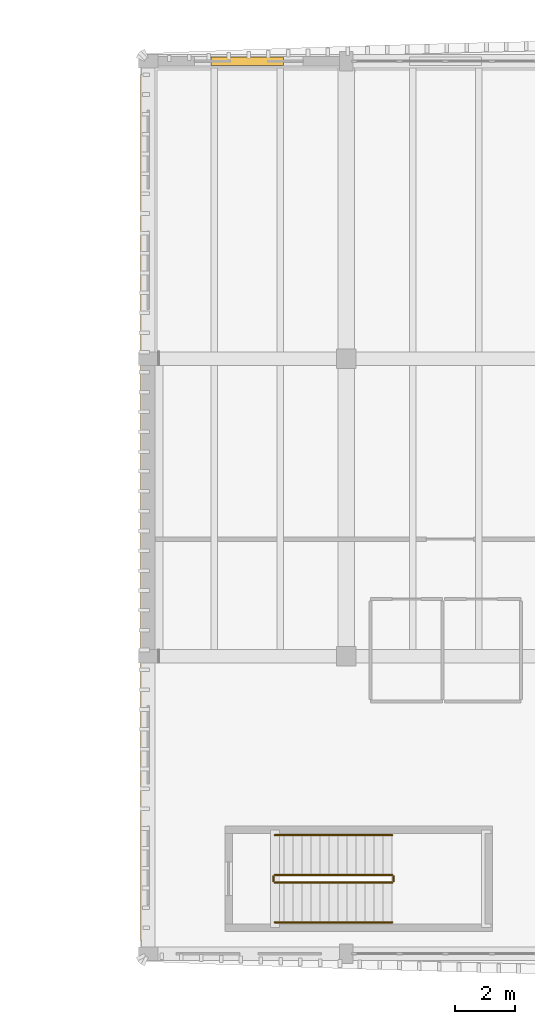
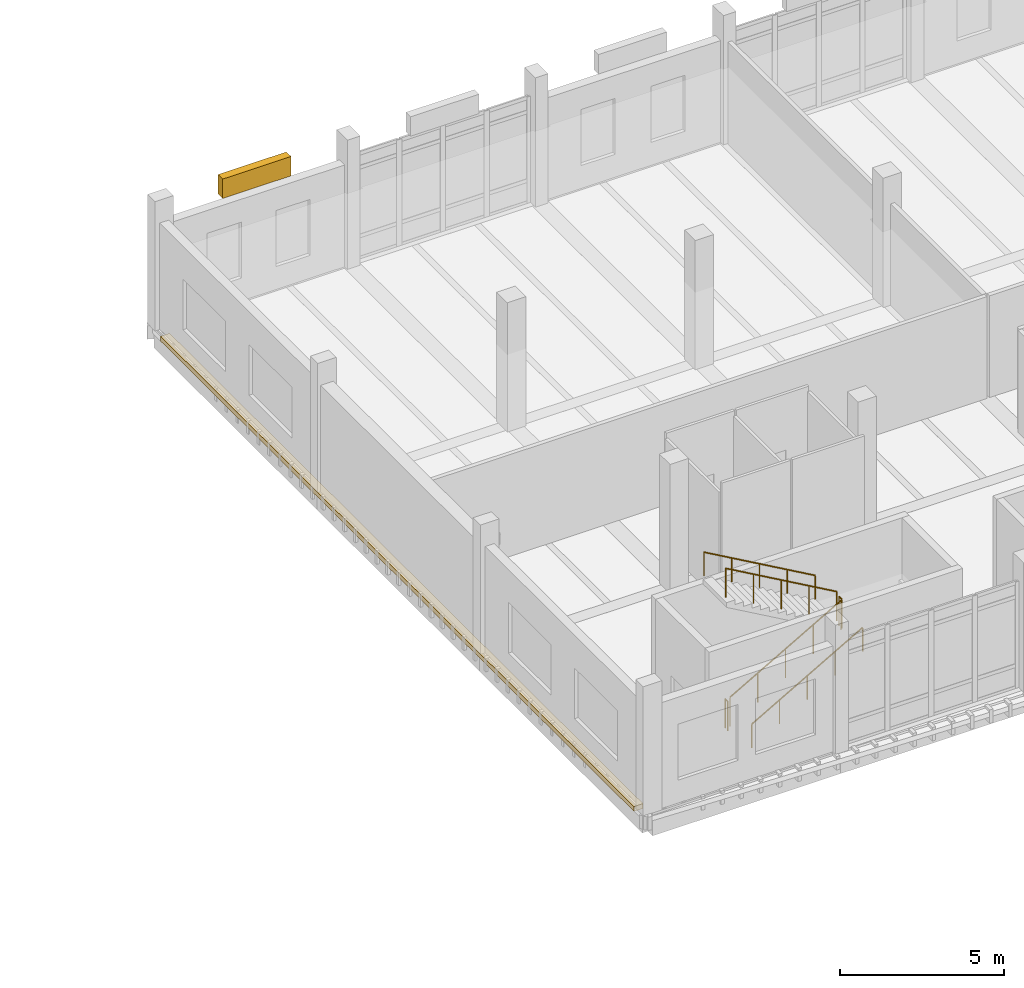
# One storey, part 31 of 39: 6 railings, 1 covering, 1 shading device.
"""IFC4 building model written with IfcOpenShell, lengths in metres."""

from ifc_helpers import new_model, si_unit, direction, frame, origin, origin_2d, place, context, subcontext, project, spatial, polyline, rectangle, circle, outline, extrude, material, layer, layer_set, type_object, element, save


model = new_model("IFC4")

# Units and contexts
model_context = context("Model", 3, precision=1e-05, world=origin(), true_north=direction((0.0, 1.0)))
body_context = subcontext(model_context, "Body", "Model", "MODEL_VIEW")
ifc_project = project(units=[si_unit("LENGTHUNIT", "METRE"), si_unit("AREAUNIT", "SQUARE_METRE"), si_unit("VOLUMEUNIT", "CUBIC_METRE"), si_unit("PLANEANGLEUNIT", "RADIAN"), si_unit("MASSUNIT", "GRAM", prefix="KILO")], contexts=[model_context])

# Site, building, storey
site_placement = place(None, origin())
site = spatial("IfcSite", under=ifc_project, at=site_placement, CompositionType="ELEMENT")
building_placement = place(site_placement, origin())
building = spatial("IfcBuilding", under=site, at=building_placement, Name="Dornvale Research Institute", CompositionType="ELEMENT")
storey_placement = place(building_placement, frame((0.0, 0.0, 24.60009765625)))
storey = spatial("IfcBuildingStorey", under=building, at=storey_placement, Name="L05", CompositionType="ELEMENT", Elevation=24.60009765625)

# Covering
ifc_material_1 = material(Name="Polychrome Glazed Terracotta Visor Rib Ceramic", Category="masonry")
ifc_layer_1 = layer(ifc_material_1, 0.179931640625)
ifc_layer_set_1 = layer_set([ifc_layer_1], Name="Polychrome Glazed Terracotta Visor Rib Ceramic")
covering_type = type_object("IfcCoveringType", Name="Covering_VisorBrim_LowShelf", PredefinedType="CLADDING", material=ifc_layer_set_1)
covering_placement = place(storey_placement, frame((0.0, 0.0, -0.260009765625)))
element("IfcCovering", 1, at=covering_placement, inside=storey, type_object=covering_type, Name="L05 V4 canted bowed-brim visor hood #62", PredefinedType="CLADDING", context=body_context, shape_type="SweptSolid", body=[
    extrude(outline(polyline([(118.860107421875, 92.85009765625), (118.540771484375, 92.85009765625), (118.540771484375, 121.64990234375), (118.860107421875, 121.64990234375), (118.860107421875, 92.85009765625)])), origin(), (0.0, 0.0, 1.0), 0.179931640625),
])

# Railings
ifc_material_2 = material(Name="Galvanized Painted Tubular Steel Stair Rail", Category="steel")
ifc_layer_2 = layer(ifc_material_2, 0.050048828125)
ifc_layer_set_2 = layer_set([ifc_layer_2], Name="Galvanized Painted Tubular Steel Stair Rail")
railing_type_1 = type_object("IfcRailingType", Name="Railing_Stair_Guard_1100", PredefinedType="GUARDRAIL", material=ifc_layer_set_2)
railing_1_placement = place(storey_placement, frame((123.02001953125, 94.77001953125, 0.17138671875)))
element("IfcRailing", 2, at=railing_1_placement, inside=storey, type_object=railing_type_1, Name="L05 ST-3 stair guard 1", PredefinedType="GUARDRAIL", context=body_context, shape_type="SweptSolid", body=[
    extrude(circle(Radius=0.02392578125, at=origin_2d()), frame((0.0, 0.0, 1.076171875), z_axis=(0.868243142124, 0.0, 0.496138938357), x_axis=(0.0, 1.0, 0.0)), (0.0, 0.0, 1.0), 4.49169921875),
    extrude(circle(Radius=0.02099609375, at=origin_2d()), origin(), (0.0, 0.0, 1.0), 1.052001953125),
    extrude(circle(Radius=0.02099609375, at=origin_2d()), frame((0.97509765625, 0.0, 0.55712890625)), (0.0, 0.0, 1.0), 1.052001953125),
    extrude(circle(Radius=0.02099609375, at=origin_2d()), frame((1.949951171875, 0.0, 1.1142578125)), (0.0, 0.0, 1.0), 1.052001953125),
    extrude(circle(Radius=0.02099609375, at=origin_2d()), frame((2.9248046875, 0.0, 1.67138671875)), (0.0, 0.0, 1.0), 1.052001953125),
    extrude(circle(Radius=0.02099609375, at=origin_2d()), frame((3.89990234375, 0.0, 2.228515625)), (0.0, 0.0, 1.0), 1.052001953125),
])
railing_2_placement = place(storey_placement, frame((126.969970703125, 94.820068359375, 2.39990234375)))
element("IfcRailing", 3, at=railing_2_placement, inside=storey, type_object=railing_type_1, Name="L05 ST-3 stair guard 2", PredefinedType="GUARDRAIL", context=body_context, shape_type="SweptSolid", body=[
    extrude(circle(Radius=0.02392578125, at=origin_2d()), frame((0.0, 0.0, 1.076171875), z_axis=(0.0, 1.0, 0.0), x_axis=(-1.0, 0.0, 0.0)), (0.0, 0.0, 1.0), 0.159912109375),
    extrude(circle(Radius=0.02099609375, at=origin_2d()), origin(), (0.0, 0.0, 1.0), 1.052001953125),
    extrude(circle(Radius=0.02099609375, at=origin_2d()), frame((0.0, 0.159912109375, 0.0)), (0.0, 0.0, 1.0), 1.052001953125),
])
railing_3_placement = place(storey_placement, frame((126.919921875, 95.030029296875, 2.5712890625)))
element("IfcRailing", 4, at=railing_3_placement, inside=storey, type_object=railing_type_1, Name="L05 ST-3 stair guard 3", PredefinedType="GUARDRAIL", context=body_context, shape_type="SweptSolid", body=[
    extrude(circle(Radius=0.02392578125, at=origin_2d()), frame((0.0, 0.0, 1.076171875), z_axis=(-0.868243142124, 0.0, 0.496138938357), x_axis=(0.0, -1.0, 0.0)), (0.0, 0.0, 1.0), 4.49169921875),
    extrude(circle(Radius=0.02099609375, at=origin_2d()), origin(), (0.0, 0.0, 1.0), 1.052001953125),
    extrude(circle(Radius=0.02099609375, at=origin_2d()), frame((-0.97509765625, 0.0, 0.55712890625)), (0.0, 0.0, 1.0), 1.052001953125),
    extrude(circle(Radius=0.02099609375, at=origin_2d()), frame((-1.949951171875, 0.0, 1.1142578125)), (0.0, 0.0, 1.0), 1.052001953125),
    extrude(circle(Radius=0.02099609375, at=origin_2d()), frame((-2.9248046875, 0.0, 1.67138671875)), (0.0, 0.0, 1.0), 1.052001953125),
    extrude(circle(Radius=0.02099609375, at=origin_2d()), frame((-3.89990234375, 0.0, 2.228515625)), (0.0, 0.0, 1.0), 1.052001953125),
])
railing_4_placement = place(storey_placement, frame((122.969970703125, 94.820068359375, 0.0)))
element("IfcRailing", 5, at=railing_4_placement, inside=storey, type_object=railing_type_1, Name="L05 ST-3 stair guard 4", PredefinedType="GUARDRAIL", context=body_context, shape_type="SweptSolid", body=[
    extrude(circle(Radius=0.02392578125, at=origin_2d()), frame((0.0, 0.0, 1.076171875), z_axis=(0.0, 1.0, 0.0), x_axis=(-1.0, 0.0, 0.0)), (0.0, 0.0, 1.0), 0.159912109375),
    extrude(circle(Radius=0.02099609375, at=origin_2d()), origin(), (0.0, 0.0, 1.0), 1.052001953125),
    extrude(circle(Radius=0.02099609375, at=origin_2d()), frame((0.0, 0.159912109375, 0.0)), (0.0, 0.0, 1.0), 1.052001953125),
])
ifc_material_3 = material(Name="Galvanized Painted Tubular Steel Stair Rail", Category="steel")
ifc_layer_3 = layer(ifc_material_3, 0.044921875)
ifc_layer_set_3 = layer_set([ifc_layer_3], Name="Galvanized Painted Tubular Steel Stair Rail")
railing_type_2 = type_object("IfcRailingType", Name="Railing_Stair_Handrail_900", PredefinedType="HANDRAIL", material=ifc_layer_set_3)
railing_5_placement = place(storey_placement, frame((123.02001953125, 93.449951171875, 0.17138671875)))
element("IfcRailing", 6, at=railing_5_placement, inside=storey, type_object=railing_type_2, Name="L05 ST-3 stair handrail 1", PredefinedType="HANDRAIL", context=body_context, shape_type="SweptSolid", body=[
    extrude(circle(Radius=0.02392578125, at=origin_2d()), frame((0.0, 0.0, 0.8759765625), z_axis=(0.868243142124, 0.0, 0.496138938357), x_axis=(0.0, 1.0, 0.0)), (0.0, 0.0, 1.0), 4.49169921875),
    extrude(circle(Radius=0.02099609375, at=origin_2d()), origin(), (0.0, 0.0, 1.0), 0.851806640625),
    extrude(circle(Radius=0.02099609375, at=origin_2d()), frame((0.97509765625, 0.0, 0.55712890625)), (0.0, 0.0, 1.0), 0.851806640625),
    extrude(circle(Radius=0.02099609375, at=origin_2d()), frame((1.949951171875, 0.0, 1.1142578125)), (0.0, 0.0, 1.0), 0.851806640625),
    extrude(circle(Radius=0.02099609375, at=origin_2d()), frame((2.9248046875, 0.0, 1.67138671875)), (0.0, 0.0, 1.0), 0.851806640625),
    extrude(circle(Radius=0.02099609375, at=origin_2d()), frame((3.89990234375, 0.0, 2.228515625)), (0.0, 0.0, 1.0), 0.851806640625),
])
railing_6_placement = place(storey_placement, frame((126.919921875, 96.35009765625, 2.5712890625)))
element("IfcRailing", 7, at=railing_6_placement, inside=storey, type_object=railing_type_2, Name="L05 ST-3 stair handrail 2", PredefinedType="HANDRAIL", context=body_context, shape_type="SweptSolid", body=[
    extrude(circle(Radius=0.02392578125, at=origin_2d()), frame((0.0, 0.0, 0.8759765625), z_axis=(-0.868243142124, 0.0, 0.496138938357), x_axis=(0.0, -1.0, 0.0)), (0.0, 0.0, 1.0), 4.49169921875),
    extrude(circle(Radius=0.02099609375, at=origin_2d()), origin(), (0.0, 0.0, 1.0), 0.851806640625),
    extrude(circle(Radius=0.02099609375, at=origin_2d()), frame((-0.97509765625, 0.0, 0.55712890625)), (0.0, 0.0, 1.0), 0.851806640625),
    extrude(circle(Radius=0.02099609375, at=origin_2d()), frame((-1.949951171875, 0.0, 1.1142578125)), (0.0, 0.0, 1.0), 0.851806640625),
    extrude(circle(Radius=0.02099609375, at=origin_2d()), frame((-2.9248046875, 0.0, 1.67138671875)), (0.0, 0.0, 1.0), 0.851806640625),
    extrude(circle(Radius=0.02099609375, at=origin_2d()), frame((-3.89990234375, 0.0, 2.228515625)), (0.0, 0.0, 1.0), 0.851806640625),
])

# Shading device
ifc_material_4 = material(Name="Extruded Aluminum Acoustic Intake Louvre", Category="aluminium")
ifc_layer_4 = layer(ifc_material_4, 0.139892578125)
ifc_layer_set_4 = layer_set([ifc_layer_4], Name="Extruded Aluminum Acoustic Intake Louvre")
shading_device_type = type_object("IfcShadingDeviceType", Name="Shading_Acoustic_Louvre", PredefinedType="USERDEFINED", material=ifc_layer_set_4)
shading_device_placement = place(storey_placement, frame((122.10009765625, 122.10009765625, 4.02001953125), z_axis=(0.0, 0.0, 1.0), x_axis=(1.0, 0.0, 0.0)))
element("IfcShadingDevice", 8, at=shading_device_placement, inside=storey, type_object=shading_device_type, Name="L05 V4 extruded aluminum acoustic louvre #38", ObjectType="LOUVRE", PredefinedType="USERDEFINED", context=body_context, shape_type="SweptSolid", body=[
    extrude(rectangle(XDim=2.39990234375, YDim=0.280029296875, at=origin_2d()), origin(), (0.0, 0.0, 1.0), 0.719970703125),
])

save(model, "model.ifc")
